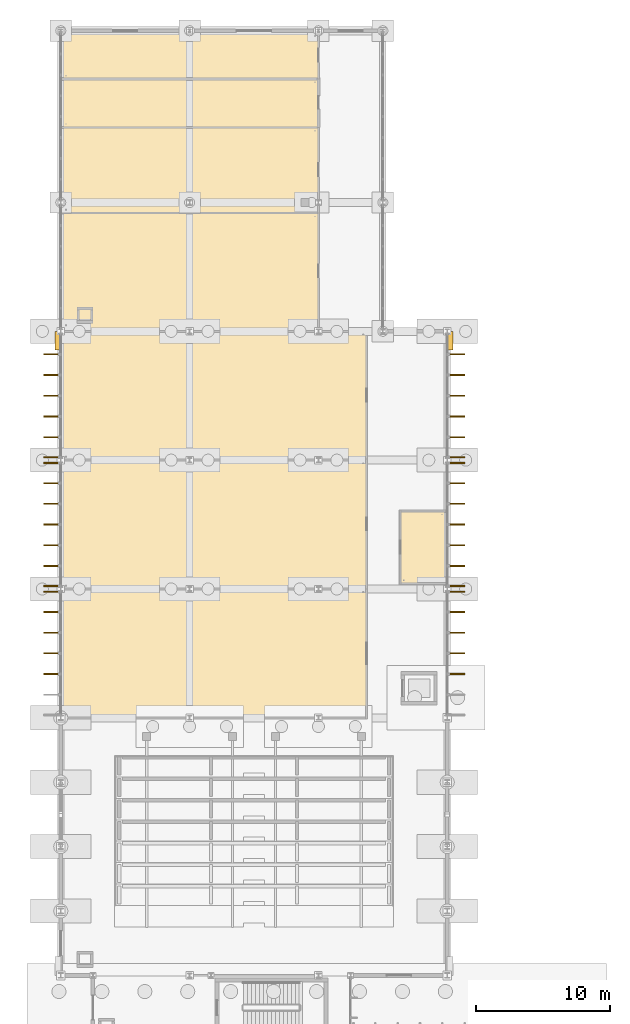
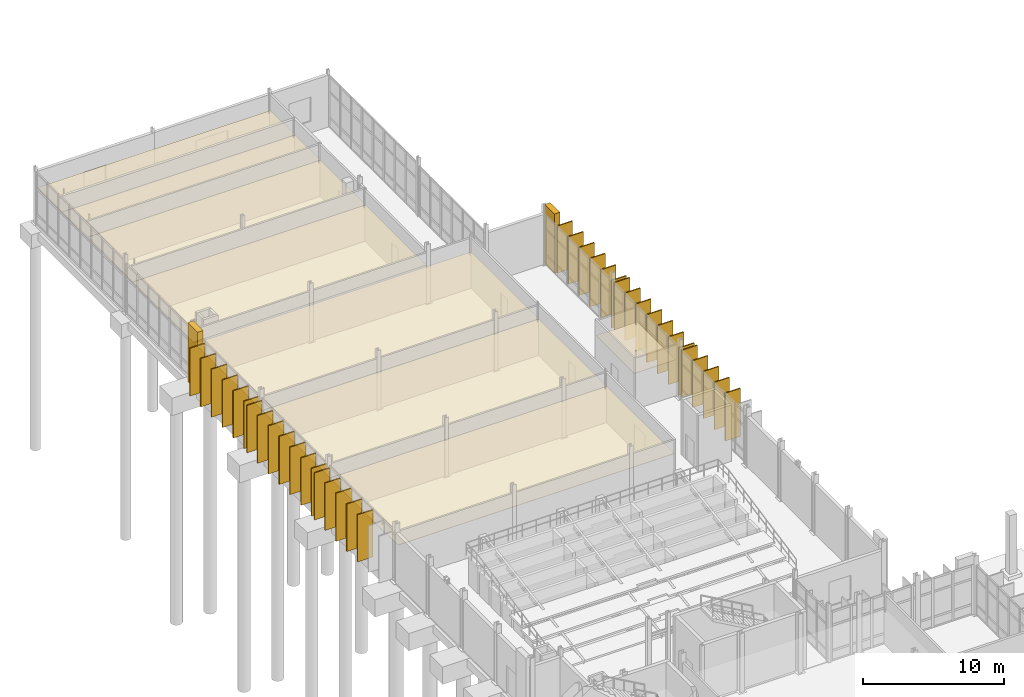
# One storey, part 108 of 111: 46 coverings.
"""IFC4 building model written with IfcOpenShell, lengths in metres."""

from ifc_helpers import new_model, si_unit, direction, frame, origin, origin_2d, place, context, subcontext, project, spatial, polyline, rectangle, outline, extrude, material, layer, layer_set, type_object, element, save


model = new_model("IFC4")

# Units and contexts
model_context = context("Model", 3, precision=1e-05, world=origin(), true_north=direction((0.0, 1.0)))
body_context = subcontext(model_context, "Body", "Model", "MODEL_VIEW")
ifc_project = project(units=[si_unit("LENGTHUNIT", "METRE"), si_unit("AREAUNIT", "SQUARE_METRE"), si_unit("VOLUMEUNIT", "CUBIC_METRE"), si_unit("PLANEANGLEUNIT", "RADIAN"), si_unit("MASSUNIT", "GRAM", prefix="KILO")], contexts=[model_context])

# Site, building, storey
site_placement = place(None, origin())
site = spatial("IfcSite", under=ifc_project, at=site_placement, CompositionType="ELEMENT")
building_placement = place(site_placement, origin())
building = spatial("IfcBuilding", under=site, at=building_placement, Name="Dunescarp Central Library", CompositionType="ELEMENT")
storey_placement = place(building_placement, origin())
storey = spatial("IfcBuildingStorey", under=building, at=storey_placement, Name="L00", CompositionType="ELEMENT", Elevation=0.0)

# Coverings
ifc_material_1 = material(Name="Mineral-fibre acoustic ceiling tile")
ifc_layer_1 = layer(ifc_material_1, 0.0400390625)
ifc_layer_set_1 = layer_set([ifc_layer_1], Name="Mineral-fibre acoustic ceiling tile")
covering_type_1 = type_object("IfcCoveringType", Name="ARC-COV-CEIL40", PredefinedType="CEILING", material=ifc_layer_set_1)
covering_1_placement = place(storey_placement, frame((0.0, 0.0, 3.050048828125)))
element("IfcCovering", 1, at=covering_1_placement, inside=storey, type_object=covering_type_1, Name="L00 ceiling West Maker Wing WC", PredefinedType="CEILING", context=body_context, shape_type="SweptSolid", body=[
    extrude(outline(polyline([(25.280029296875, 70.780029296875), (28.679931640625, 70.780029296875), (28.679931640625, 76.219970703125), (25.280029296875, 76.219970703125), (25.280029296875, 70.780029296875)])), origin(), (0.0, 0.0, 1.0), 0.0400390625),
])
covering_2_placement = place(storey_placement, frame((0.0, 0.0, 3.050048828125)))
element("IfcCovering", 2, at=covering_2_placement, inside=storey, type_object=covering_type_1, Name="L00 ceiling Civic Exhibition & Poster Gallery South", PredefinedType="CEILING", context=body_context, shape_type="SweptSolid", body=[
    extrude(outline(polyline([(0.1201171875, 60.780029296875), (22.820068359375, 60.780029296875), (22.820068359375, 70.419921875), (0.1201171875, 70.419921875), (0.1201171875, 60.780029296875)])), origin(), (0.0, 0.0, 1.0), 0.0400390625),
])
covering_3_placement = place(storey_placement, frame((0.0, 0.0, 3.050048828125)))
element("IfcCovering", 3, at=covering_3_placement, inside=storey, type_object=covering_type_1, Name="L00 ceiling Public Exhibition & Poster Gallery", PredefinedType="CEILING", context=body_context, shape_type="SweptSolid", body=[
    extrude(outline(polyline([(0.1201171875, 70.3798828125), (22.820068359375, 70.3798828125), (22.820068359375, 80.02001953125), (0.1201171875, 80.02001953125), (0.1201171875, 70.3798828125)])), origin(), (0.0, 0.0, 1.0), 0.0400390625),
])
covering_4_placement = place(storey_placement, frame((0.0, 0.0, 3.050048828125)))
element("IfcCovering", 4, at=covering_4_placement, inside=storey, type_object=covering_type_1, Name="L00 ceiling 3D Fabrication & Robotics Workshop", PredefinedType="CEILING", context=body_context, shape_type="SweptSolid", body=[
    extrude(outline(polyline([(0.1201171875, 79.97998046875), (22.820068359375, 79.97998046875), (22.820068359375, 89.6201171875), (0.1201171875, 89.6201171875), (0.1201171875, 79.97998046875)])), origin(), (0.0, 0.0, 1.0), 0.0400390625),
])
covering_5_placement = place(storey_placement, frame((0.0, 0.0, 3.050048828125)))
element("IfcCovering", 5, at=covering_5_placement, inside=storey, type_object=covering_type_1, Name="L00 ceiling Foley & Ensemble Rehearsal Hall", PredefinedType="CEILING", context=body_context, shape_type="SweptSolid", body=[
    extrude(outline(polyline([(0.1201171875, 89.780029296875), (19.219970703125, 89.780029296875), (19.219970703125, 98.419921875), (0.1201171875, 98.419921875), (0.1201171875, 89.780029296875)])), origin(), (0.0, 0.0, 1.0), 0.0400390625),
])
covering_6_placement = place(storey_placement, frame((0.0, 0.0, 3.050048828125)))
element("IfcCovering", 6, at=covering_6_placement, inside=storey, type_object=covering_type_1, Name="L00 ceiling Podcast & Oral History Production Suite", PredefinedType="CEILING", context=body_context, shape_type="SweptSolid", body=[
    extrude(outline(polyline([(0.1201171875, 98.3798828125), (19.219970703125, 98.3798828125), (19.219970703125, 104.820068359375), (0.1201171875, 104.820068359375), (0.1201171875, 98.3798828125)])), origin(), (0.0, 0.0, 1.0), 0.0400390625),
])
covering_7_placement = place(storey_placement, frame((0.0, 0.0, 3.050048828125)))
element("IfcCovering", 7, at=covering_7_placement, inside=storey, type_object=covering_type_1, Name="L00 ceiling Acoustic Sound Recording Studio", PredefinedType="CEILING", context=body_context, shape_type="SweptSolid", body=[
    extrude(outline(polyline([(0.1201171875, 104.780029296875), (19.219970703125, 104.780029296875), (19.219970703125, 108.419921875), (0.1201171875, 108.419921875), (0.1201171875, 104.780029296875)])), origin(), (0.0, 0.0, 1.0), 0.0400390625),
])
covering_8_placement = place(storey_placement, frame((0.0, 0.0, 3.050048828125)))
element("IfcCovering", 8, at=covering_8_placement, inside=storey, type_object=covering_type_1, Name="L00 ceiling Broadcast Control & Mastering Booth", PredefinedType="CEILING", context=body_context, shape_type="SweptSolid", body=[
    extrude(outline(polyline([(0.1201171875, 108.3798828125), (19.219970703125, 108.3798828125), (19.219970703125, 111.8798828125), (0.1201171875, 111.8798828125), (0.1201171875, 108.3798828125)])), origin(), (0.0, 0.0, 1.0), 0.0400390625),
])
ifc_material_2 = material(Name="Glass-fibre reinforced concrete GRC", Category="concrete")
ifc_layer_2 = layer(ifc_material_2, 0.090087890625)
ifc_layer_set_2 = layer_set([ifc_layer_2], Name="Glass-fibre reinforced concrete GRC")
covering_type_2 = type_object("IfcCoveringType", Name="ARC-COV-FIN1250", PredefinedType="CLADDING", material=ifc_layer_set_2)
covering_9_placement = place(storey_placement, frame((-0.662109375, 64.05810546875, 0.1640625), z_axis=(0.0, 0.0, 1.0), x_axis=(-1.0, 0.0, 0.0)))
element("IfcCovering", 9, at=covering_9_placement, inside=storey, type_object=covering_type_2, Name="L00 parametric vertical facade fin FIN-L00-0745", PredefinedType="CLADDING", context=body_context, shape_type="SweptSolid", body=[
    extrude(rectangle(XDim=1.25, YDim=0.090087890625, at=origin_2d()), origin(), (0.0, 0.0, 1.0), 4.077880859375),
])
covering_10_placement = place(storey_placement, frame((-0.662109375, 65.60009765625, 0.12353515625), z_axis=(0.0, 0.0, 1.0), x_axis=(-1.0, 0.0, 0.0)))
element("IfcCovering", 10, at=covering_10_placement, inside=storey, type_object=covering_type_2, Name="L00 parametric vertical facade fin FIN-L00-0746", PredefinedType="CLADDING", context=body_context, shape_type="SweptSolid", body=[
    extrude(rectangle(XDim=1.25, YDim=0.090087890625, at=origin_2d()), origin(), (0.0, 0.0, 1.0), 4.118896484375),
])
covering_11_placement = place(storey_placement, frame((-0.662109375, 67.14208984375, 0.07958984375), z_axis=(0.0, 0.0, 1.0), x_axis=(-1.0, 0.0, 0.0)))
element("IfcCovering", 11, at=covering_11_placement, inside=storey, type_object=covering_type_2, Name="L00 parametric vertical facade fin FIN-L00-0747", PredefinedType="CLADDING", context=body_context, shape_type="SweptSolid", body=[
    extrude(rectangle(XDim=1.25, YDim=0.090087890625, at=origin_2d()), origin(), (0.0, 0.0, 1.0), 4.15087890625),
])
covering_12_placement = place(storey_placement, frame((-0.662109375, 68.68310546875, 0.08056640625), z_axis=(0.0, 0.0, 1.0), x_axis=(-1.0, 0.0, 0.0)))
element("IfcCovering", 12, at=covering_12_placement, inside=storey, type_object=covering_type_2, Name="L00 parametric vertical facade fin FIN-L00-0748", PredefinedType="CLADDING", context=body_context, shape_type="SweptSolid", body=[
    extrude(rectangle(XDim=1.25, YDim=0.090087890625, at=origin_2d()), origin(), (0.0, 0.0, 1.0), 4.10107421875),
])
covering_13_placement = place(storey_placement, frame((-0.662109375, 70.18505859375, 0.080078125), z_axis=(0.0, 0.0, 1.0), x_axis=(-1.0, 0.0, 0.0)))
element("IfcCovering", 13, at=covering_13_placement, inside=storey, type_object=covering_type_2, Name="L00 parametric vertical facade fin FIN-L00-0749", PredefinedType="CLADDING", context=body_context, shape_type="SweptSolid", body=[
    extrude(rectangle(XDim=1.25, YDim=0.090087890625, at=origin_2d()), origin(), (0.0, 0.0, 1.0), 4.068115234375),
])
covering_14_placement = place(storey_placement, frame((29.4619140625, 70.18505859375, 0.16650390625), z_axis=(0.0, 0.0, 1.0), x_axis=(1.0, 0.0, 0.0)))
element("IfcCovering", 14, at=covering_14_placement, inside=storey, type_object=covering_type_2, Name="L00 parametric vertical facade fin FIN-L00-0750", PredefinedType="CLADDING", context=body_context, shape_type="SweptSolid", body=[
    extrude(rectangle(XDim=1.25, YDim=0.090087890625, at=origin_2d()), origin(), (0.0, 0.0, 1.0), 4.074951171875),
])
covering_15_placement = place(storey_placement, frame((29.4619140625, 68.68310546875, 0.179931640625), z_axis=(0.0, 0.0, 1.0), x_axis=(1.0, 0.0, 0.0)))
element("IfcCovering", 15, at=covering_15_placement, inside=storey, type_object=covering_type_2, Name="L00 parametric vertical facade fin FIN-L00-0751", PredefinedType="CLADDING", context=body_context, shape_type="SweptSolid", body=[
    extrude(rectangle(XDim=1.25, YDim=0.090087890625, at=origin_2d()), origin(), (0.0, 0.0, 1.0), 4.06201171875),
])
covering_16_placement = place(storey_placement, frame((29.4619140625, 67.14208984375, 0.1640625), z_axis=(0.0, 0.0, 1.0), x_axis=(1.0, 0.0, 0.0)))
element("IfcCovering", 16, at=covering_16_placement, inside=storey, type_object=covering_type_2, Name="L00 parametric vertical facade fin FIN-L00-0752", PredefinedType="CLADDING", context=body_context, shape_type="SweptSolid", body=[
    extrude(rectangle(XDim=1.25, YDim=0.090087890625, at=origin_2d()), origin(), (0.0, 0.0, 1.0), 4.077880859375),
])
covering_17_placement = place(storey_placement, frame((29.4619140625, 65.60009765625, 0.12353515625), z_axis=(0.0, 0.0, 1.0), x_axis=(1.0, 0.0, 0.0)))
element("IfcCovering", 17, at=covering_17_placement, inside=storey, type_object=covering_type_2, Name="L00 parametric vertical facade fin FIN-L00-0753", PredefinedType="CLADDING", context=body_context, shape_type="SweptSolid", body=[
    extrude(rectangle(XDim=1.25, YDim=0.090087890625, at=origin_2d()), origin(), (0.0, 0.0, 1.0), 4.118896484375),
])
covering_18_placement = place(storey_placement, frame((29.4619140625, 64.05810546875, 0.07958984375), z_axis=(0.0, 0.0, 1.0), x_axis=(1.0, 0.0, 0.0)))
element("IfcCovering", 18, at=covering_18_placement, inside=storey, type_object=covering_type_2, Name="L00 parametric vertical facade fin FIN-L00-0754", PredefinedType="CLADDING", context=body_context, shape_type="SweptSolid", body=[
    extrude(rectangle(XDim=1.25, YDim=0.090087890625, at=origin_2d()), origin(), (0.0, 0.0, 1.0), 4.15087890625),
])
covering_19_placement = place(storey_placement, frame((-0.662109375, 70.614990234375, 0.1669921875), z_axis=(0.0, 0.0, 1.0), x_axis=(-1.0, 0.0, 0.0)))
element("IfcCovering", 19, at=covering_19_placement, inside=storey, type_object=covering_type_2, Name="L00 parametric vertical facade fin FIN-L00-0757", PredefinedType="CLADDING", context=body_context, shape_type="SweptSolid", body=[
    extrude(rectangle(XDim=1.25, YDim=0.090087890625, at=origin_2d()), origin(), (0.0, 0.0, 1.0), 4.10791015625),
])
covering_20_placement = place(storey_placement, frame((-0.662109375, 72.116943359375, 0.1806640625), z_axis=(0.0, 0.0, 1.0), x_axis=(-1.0, 0.0, 0.0)))
element("IfcCovering", 20, at=covering_20_placement, inside=storey, type_object=covering_type_2, Name="L00 parametric vertical facade fin FIN-L00-0758", PredefinedType="CLADDING", context=body_context, shape_type="SweptSolid", body=[
    extrude(rectangle(XDim=1.25, YDim=0.090087890625, at=origin_2d()), origin(), (0.0, 0.0, 1.0), 4.094970703125),
])
covering_21_placement = place(storey_placement, frame((-0.662109375, 73.657958984375, 0.16455078125), z_axis=(0.0, 0.0, 1.0), x_axis=(-1.0, 0.0, 0.0)))
element("IfcCovering", 21, at=covering_21_placement, inside=storey, type_object=covering_type_2, Name="L00 parametric vertical facade fin FIN-L00-0759", PredefinedType="CLADDING", context=body_context, shape_type="SweptSolid", body=[
    extrude(rectangle(XDim=1.25, YDim=0.090087890625, at=origin_2d()), origin(), (0.0, 0.0, 1.0), 4.111083984375),
])
covering_22_placement = place(storey_placement, frame((-0.662109375, 75.199951171875, 0.123046875), z_axis=(0.0, 0.0, 1.0), x_axis=(-1.0, 0.0, 0.0)))
element("IfcCovering", 22, at=covering_22_placement, inside=storey, type_object=covering_type_2, Name="L00 parametric vertical facade fin FIN-L00-0760", PredefinedType="CLADDING", context=body_context, shape_type="SweptSolid", body=[
    extrude(rectangle(XDim=1.25, YDim=0.090087890625, at=origin_2d()), origin(), (0.0, 0.0, 1.0), 4.152099609375),
])
covering_23_placement = place(storey_placement, frame((-0.662109375, 76.741943359375, 0.080078125), z_axis=(0.0, 0.0, 1.0), x_axis=(-1.0, 0.0, 0.0)))
element("IfcCovering", 23, at=covering_23_placement, inside=storey, type_object=covering_type_2, Name="L00 parametric vertical facade fin FIN-L00-0761", PredefinedType="CLADDING", context=body_context, shape_type="SweptSolid", body=[
    extrude(rectangle(XDim=1.25, YDim=0.090087890625, at=origin_2d()), origin(), (0.0, 0.0, 1.0), 4.18408203125),
])
covering_24_placement = place(storey_placement, frame((-0.662109375, 78.282958984375, 0.080078125), z_axis=(0.0, 0.0, 1.0), x_axis=(-1.0, 0.0, 0.0)))
element("IfcCovering", 24, at=covering_24_placement, inside=storey, type_object=covering_type_2, Name="L00 parametric vertical facade fin FIN-L00-0762", PredefinedType="CLADDING", context=body_context, shape_type="SweptSolid", body=[
    extrude(rectangle(XDim=1.25, YDim=0.090087890625, at=origin_2d()), origin(), (0.0, 0.0, 1.0), 4.134033203125),
])
covering_25_placement = place(storey_placement, frame((-0.662109375, 79.784912109375, 0.08056640625), z_axis=(0.0, 0.0, 1.0), x_axis=(-1.0, 0.0, 0.0)))
element("IfcCovering", 25, at=covering_25_placement, inside=storey, type_object=covering_type_2, Name="L00 parametric vertical facade fin FIN-L00-0763", PredefinedType="CLADDING", context=body_context, shape_type="SweptSolid", body=[
    extrude(rectangle(XDim=1.25, YDim=0.090087890625, at=origin_2d()), origin(), (0.0, 0.0, 1.0), 4.10107421875),
])
covering_26_placement = place(storey_placement, frame((29.4619140625, 79.784912109375, 0.1669921875), z_axis=(0.0, 0.0, 1.0), x_axis=(1.0, 0.0, 0.0)))
element("IfcCovering", 26, at=covering_26_placement, inside=storey, type_object=covering_type_2, Name="L00 parametric vertical facade fin FIN-L00-0764", PredefinedType="CLADDING", context=body_context, shape_type="SweptSolid", body=[
    extrude(rectangle(XDim=1.25, YDim=0.090087890625, at=origin_2d()), origin(), (0.0, 0.0, 1.0), 4.10791015625),
])
covering_27_placement = place(storey_placement, frame((29.4619140625, 78.282958984375, 0.1806640625), z_axis=(0.0, 0.0, 1.0), x_axis=(1.0, 0.0, 0.0)))
element("IfcCovering", 27, at=covering_27_placement, inside=storey, type_object=covering_type_2, Name="L00 parametric vertical facade fin FIN-L00-0765", PredefinedType="CLADDING", context=body_context, shape_type="SweptSolid", body=[
    extrude(rectangle(XDim=1.25, YDim=0.090087890625, at=origin_2d()), origin(), (0.0, 0.0, 1.0), 4.094970703125),
])
covering_28_placement = place(storey_placement, frame((29.4619140625, 76.741943359375, 0.16455078125), z_axis=(0.0, 0.0, 1.0), x_axis=(1.0, 0.0, 0.0)))
element("IfcCovering", 28, at=covering_28_placement, inside=storey, type_object=covering_type_2, Name="L00 parametric vertical facade fin FIN-L00-0766", PredefinedType="CLADDING", context=body_context, shape_type="SweptSolid", body=[
    extrude(rectangle(XDim=1.25, YDim=0.090087890625, at=origin_2d()), origin(), (0.0, 0.0, 1.0), 4.111083984375),
])
covering_29_placement = place(storey_placement, frame((29.4619140625, 75.199951171875, 0.123046875), z_axis=(0.0, 0.0, 1.0), x_axis=(1.0, 0.0, 0.0)))
element("IfcCovering", 29, at=covering_29_placement, inside=storey, type_object=covering_type_2, Name="L00 parametric vertical facade fin FIN-L00-0767", PredefinedType="CLADDING", context=body_context, shape_type="SweptSolid", body=[
    extrude(rectangle(XDim=1.25, YDim=0.090087890625, at=origin_2d()), origin(), (0.0, 0.0, 1.0), 4.152099609375),
])
covering_30_placement = place(storey_placement, frame((29.4619140625, 73.657958984375, 0.080078125), z_axis=(0.0, 0.0, 1.0), x_axis=(1.0, 0.0, 0.0)))
element("IfcCovering", 30, at=covering_30_placement, inside=storey, type_object=covering_type_2, Name="L00 parametric vertical facade fin FIN-L00-0768", PredefinedType="CLADDING", context=body_context, shape_type="SweptSolid", body=[
    extrude(rectangle(XDim=1.25, YDim=0.090087890625, at=origin_2d()), origin(), (0.0, 0.0, 1.0), 4.18408203125),
])
covering_31_placement = place(storey_placement, frame((29.4619140625, 72.116943359375, 0.080078125), z_axis=(0.0, 0.0, 1.0), x_axis=(1.0, 0.0, 0.0)))
element("IfcCovering", 31, at=covering_31_placement, inside=storey, type_object=covering_type_2, Name="L00 parametric vertical facade fin FIN-L00-0769", PredefinedType="CLADDING", context=body_context, shape_type="SweptSolid", body=[
    extrude(rectangle(XDim=1.25, YDim=0.090087890625, at=origin_2d()), origin(), (0.0, 0.0, 1.0), 4.134033203125),
])
covering_32_placement = place(storey_placement, frame((29.4619140625, 70.614990234375, 0.08056640625), z_axis=(0.0, 0.0, 1.0), x_axis=(1.0, 0.0, 0.0)))
element("IfcCovering", 32, at=covering_32_placement, inside=storey, type_object=covering_type_2, Name="L00 parametric vertical facade fin FIN-L00-0770", PredefinedType="CLADDING", context=body_context, shape_type="SweptSolid", body=[
    extrude(rectangle(XDim=1.25, YDim=0.090087890625, at=origin_2d()), origin(), (0.0, 0.0, 1.0), 4.10107421875),
])
covering_33_placement = place(storey_placement, frame((-0.662109375, 80.215087890625, 0.1669921875), z_axis=(0.0, 0.0, 1.0), x_axis=(-1.0, 0.0, 0.0)))
element("IfcCovering", 33, at=covering_33_placement, inside=storey, type_object=covering_type_2, Name="L00 parametric vertical facade fin FIN-L00-0771", PredefinedType="CLADDING", context=body_context, shape_type="SweptSolid", body=[
    extrude(rectangle(XDim=1.25, YDim=0.090087890625, at=origin_2d()), origin(), (0.0, 0.0, 1.0), 4.10791015625),
])
covering_34_placement = place(storey_placement, frame((-0.662109375, 81.717041015625, 0.1806640625), z_axis=(0.0, 0.0, 1.0), x_axis=(-1.0, 0.0, 0.0)))
element("IfcCovering", 34, at=covering_34_placement, inside=storey, type_object=covering_type_2, Name="L00 parametric vertical facade fin FIN-L00-0772", PredefinedType="CLADDING", context=body_context, shape_type="SweptSolid", body=[
    extrude(rectangle(XDim=1.25, YDim=0.090087890625, at=origin_2d()), origin(), (0.0, 0.0, 1.0), 4.094970703125),
])
covering_35_placement = place(storey_placement, frame((-0.662109375, 83.258056640625, 0.16455078125), z_axis=(0.0, 0.0, 1.0), x_axis=(-1.0, 0.0, 0.0)))
element("IfcCovering", 35, at=covering_35_placement, inside=storey, type_object=covering_type_2, Name="L00 parametric vertical facade fin FIN-L00-0773", PredefinedType="CLADDING", context=body_context, shape_type="SweptSolid", body=[
    extrude(rectangle(XDim=1.25, YDim=0.090087890625, at=origin_2d()), origin(), (0.0, 0.0, 1.0), 4.111083984375),
])
covering_36_placement = place(storey_placement, frame((-0.662109375, 84.800048828125, 0.123046875), z_axis=(0.0, 0.0, 1.0), x_axis=(-1.0, 0.0, 0.0)))
element("IfcCovering", 36, at=covering_36_placement, inside=storey, type_object=covering_type_2, Name="L00 parametric vertical facade fin FIN-L00-0774", PredefinedType="CLADDING", context=body_context, shape_type="SweptSolid", body=[
    extrude(rectangle(XDim=1.25, YDim=0.090087890625, at=origin_2d()), origin(), (0.0, 0.0, 1.0), 4.152099609375),
])
covering_37_placement = place(storey_placement, frame((-0.662109375, 86.342041015625, 0.080078125), z_axis=(0.0, 0.0, 1.0), x_axis=(-1.0, 0.0, 0.0)))
element("IfcCovering", 37, at=covering_37_placement, inside=storey, type_object=covering_type_2, Name="L00 parametric vertical facade fin FIN-L00-0775", PredefinedType="CLADDING", context=body_context, shape_type="SweptSolid", body=[
    extrude(rectangle(XDim=1.25, YDim=0.090087890625, at=origin_2d()), origin(), (0.0, 0.0, 1.0), 4.18408203125),
])
covering_38_placement = place(storey_placement, frame((-0.662109375, 87.883056640625, 0.080078125), z_axis=(0.0, 0.0, 1.0), x_axis=(-1.0, 0.0, 0.0)))
element("IfcCovering", 38, at=covering_38_placement, inside=storey, type_object=covering_type_2, Name="L00 parametric vertical facade fin FIN-L00-0776", PredefinedType="CLADDING", context=body_context, shape_type="SweptSolid", body=[
    extrude(rectangle(XDim=1.25, YDim=0.090087890625, at=origin_2d()), origin(), (0.0, 0.0, 1.0), 4.134033203125),
])
covering_39_placement = place(storey_placement, frame((29.4619140625, 87.883056640625, 0.1806640625), z_axis=(0.0, 0.0, 1.0), x_axis=(1.0, 0.0, 0.0)))
element("IfcCovering", 39, at=covering_39_placement, inside=storey, type_object=covering_type_2, Name="L00 parametric vertical facade fin FIN-L00-0777", PredefinedType="CLADDING", context=body_context, shape_type="SweptSolid", body=[
    extrude(rectangle(XDim=1.25, YDim=0.090087890625, at=origin_2d()), origin(), (0.0, 0.0, 1.0), 4.094970703125),
])
covering_40_placement = place(storey_placement, frame((29.4619140625, 86.342041015625, 0.16455078125), z_axis=(0.0, 0.0, 1.0), x_axis=(1.0, 0.0, 0.0)))
element("IfcCovering", 40, at=covering_40_placement, inside=storey, type_object=covering_type_2, Name="L00 parametric vertical facade fin FIN-L00-0778", PredefinedType="CLADDING", context=body_context, shape_type="SweptSolid", body=[
    extrude(rectangle(XDim=1.25, YDim=0.090087890625, at=origin_2d()), origin(), (0.0, 0.0, 1.0), 4.111083984375),
])
covering_41_placement = place(storey_placement, frame((29.4619140625, 84.800048828125, 0.123046875), z_axis=(0.0, 0.0, 1.0), x_axis=(1.0, 0.0, 0.0)))
element("IfcCovering", 41, at=covering_41_placement, inside=storey, type_object=covering_type_2, Name="L00 parametric vertical facade fin FIN-L00-0779", PredefinedType="CLADDING", context=body_context, shape_type="SweptSolid", body=[
    extrude(rectangle(XDim=1.25, YDim=0.090087890625, at=origin_2d()), origin(), (0.0, 0.0, 1.0), 4.152099609375),
])
covering_42_placement = place(storey_placement, frame((29.4619140625, 83.258056640625, 0.080078125), z_axis=(0.0, 0.0, 1.0), x_axis=(1.0, 0.0, 0.0)))
element("IfcCovering", 42, at=covering_42_placement, inside=storey, type_object=covering_type_2, Name="L00 parametric vertical facade fin FIN-L00-0780", PredefinedType="CLADDING", context=body_context, shape_type="SweptSolid", body=[
    extrude(rectangle(XDim=1.25, YDim=0.090087890625, at=origin_2d()), origin(), (0.0, 0.0, 1.0), 4.18408203125),
])
covering_43_placement = place(storey_placement, frame((29.4619140625, 81.717041015625, 0.080078125), z_axis=(0.0, 0.0, 1.0), x_axis=(1.0, 0.0, 0.0)))
element("IfcCovering", 43, at=covering_43_placement, inside=storey, type_object=covering_type_2, Name="L00 parametric vertical facade fin FIN-L00-0781", PredefinedType="CLADDING", context=body_context, shape_type="SweptSolid", body=[
    extrude(rectangle(XDim=1.25, YDim=0.090087890625, at=origin_2d()), origin(), (0.0, 0.0, 1.0), 4.134033203125),
])
covering_44_placement = place(storey_placement, frame((29.4619140625, 80.215087890625, 0.08056640625), z_axis=(0.0, 0.0, 1.0), x_axis=(1.0, 0.0, 0.0)))
element("IfcCovering", 44, at=covering_44_placement, inside=storey, type_object=covering_type_2, Name="L00 parametric vertical facade fin FIN-L00-0782", PredefinedType="CLADDING", context=body_context, shape_type="SweptSolid", body=[
    extrude(rectangle(XDim=1.25, YDim=0.090087890625, at=origin_2d()), origin(), (0.0, 0.0, 1.0), 4.10107421875),
])
ifc_layer_3 = layer(ifc_material_2, 0.449951171875)
ifc_layer_set_3 = layer_set([ifc_layer_3], Name="Glass-fibre reinforced concrete GRC")
covering_type_3 = type_object("IfcCoveringType", Name="ARC-COV-PORTAL", PredefinedType="CLADDING", material=ifc_layer_set_3)
for number, where, z_axis, x_axis, name in (
    (45, (-0.219970703125, 88.89990234375, 0.0), (0.0, 0.0, 1.0), (1.0, 0.0, 0.0), "V4 sculpted GRC portal pier PRT-BAND-V4-065"),
    (46, (29.02001953125, 88.89990234375, 0.0), (0.0, 0.0, 1.0), (1.0, 0.0, 0.0), "V4 sculpted GRC portal pier PRT-BAND-V4-066"),
):
    element("IfcCovering", number, at=place(storey_placement, frame(where, z_axis=z_axis, x_axis=x_axis)), inside=storey, type_object=covering_type_3, Name=name, PredefinedType="CLADDING", context=body_context, shape_type="SweptSolid", body=[
        extrude(rectangle(XDim=0.449951171875, YDim=1.39990234375, at=origin_2d()), origin(), (0.0, 0.0, 1.0), 5.10009765625),
    ])

save(model, "model.ifc")
